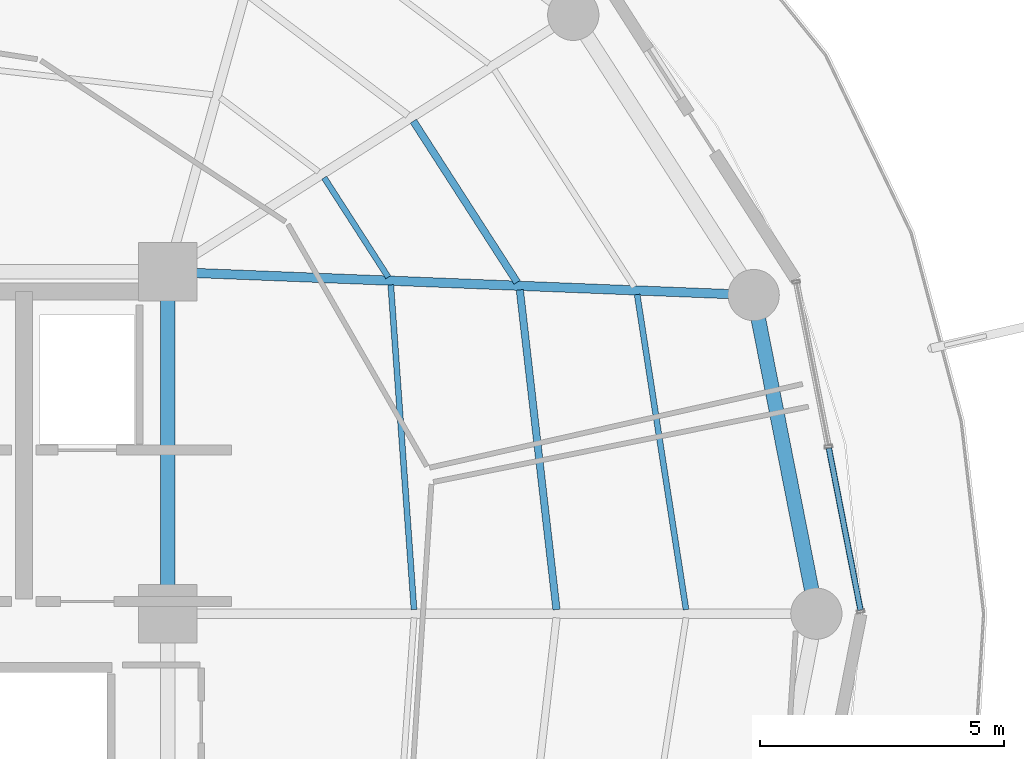
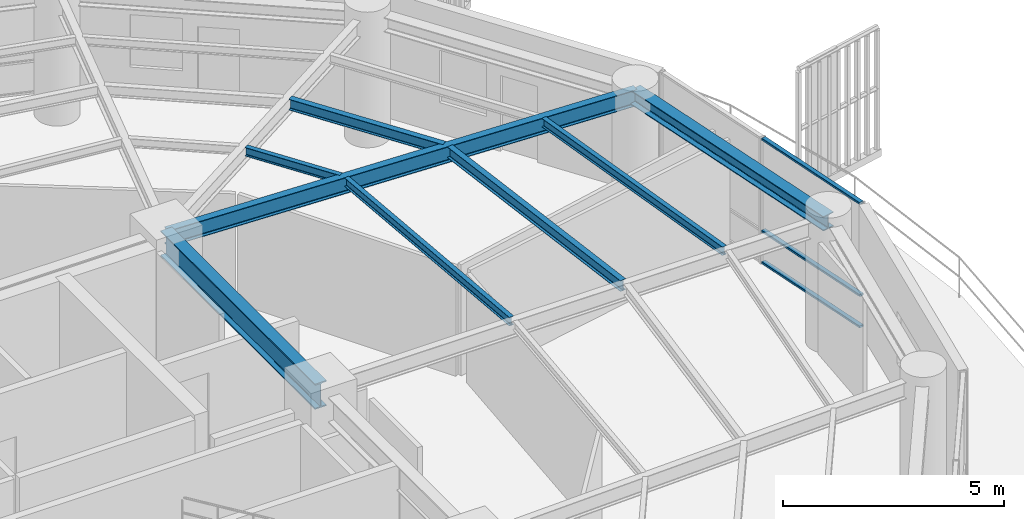
# One storey, part 15 of 31: 8 beams, 3 members, 1 element without a shape of its own.
"""IFC4 building model written with IfcOpenShell, lengths in metres."""

import ifcopenshell
import ifcopenshell.guid

model = None  # the IFC model being written
_history = None  # IfcOwnerHistory: only IFC2X3 demands one
_inside = {}  # id of a spatial element -> (the spatial element, [elements in it])
_under = {}  # id of a project, library or spatial element -> (it, [spatial elements below it])
_declared = {}  # id of a project -> (the project, [libraries it declares])
_typed = {}  # id of a type object -> (the type object, [elements of that type])
_made_of = {}  # id of a material, layer set ... -> (it, [elements and type objects made of it])


def new_model(schema):
    """Start an empty IFC model of exactly this schema.

    Asked for "IFC4X3", IfcOpenShell would pick the latest addendum, in which some entities
    have other attributes; the version numbers below select the first issue.
    IFC2X3 requires an IfcOwnerHistory on every rooted entity: one is made here for all.
    """
    global model, _history
    if schema == "IFC4X3":
        model = ifcopenshell.file(schema_version=(4, 3, 0, 0))
    else:
        model = ifcopenshell.file(schema=schema)
    _inside.clear()
    _under.clear()
    _declared.clear()
    _typed.clear()
    _made_of.clear()
    _history = None
    if model.schema == "IFC2X3":
        org = make("IfcOrganization", Name="unknown")
        user = make(
            "IfcPersonAndOrganization",
            ThePerson=make("IfcPerson", FamilyName="unknown"),
            TheOrganization=org,
        )
        app = make(
            "IfcApplication",
            ApplicationDeveloper=org,
            Version="unknown",
            ApplicationFullName="unknown",
            ApplicationIdentifier="unknown",
        )
        _history = make(
            "IfcOwnerHistory",
            OwningUser=user,
            OwningApplication=app,
            ChangeAction="ADDED",
            CreationDate=0,
        )
    return model


def make(cls, **values):
    """One entity of the class cls with the attributes given. An attribute that is None is left unset."""
    return model.create_entity(
        cls, **{name: value for name, value in values.items() if value is not None}
    )


def rooted(cls, **values):
    """An entity with a GlobalId (a new one), such as an element, a storey or a relation."""
    return make(cls, GlobalId=ifcopenshell.guid.new(), OwnerHistory=_history, **values)


def si_unit(unit_type, name, prefix=None):
    """IfcSIUnit, for example si_unit("LENGTHUNIT", "METRE", prefix="MILLI")."""
    return make("IfcSIUnit", UnitType=unit_type, Prefix=prefix, Name=name)


def assignment(units):
    """IfcUnitAssignment: the units of a project."""
    return None if units is None else make("IfcUnitAssignment", Units=units)


def point(xyz):
    """IfcCartesianPoint."""
    return None if xyz is None else make("IfcCartesianPoint", Coordinates=xyz)


def direction(xyz):
    """IfcDirection."""
    return None if xyz is None else make("IfcDirection", DirectionRatios=xyz)


def frame(location, z_axis=None, x_axis=None):
    """IfcAxis2Placement3D, a coordinate frame: its origin and axes. An axis left out is left unset."""
    return make(
        "IfcAxis2Placement3D",
        Location=point(location),
        Axis=direction(z_axis),
        RefDirection=direction(x_axis),
    )


def frame_2d(location, x_axis=None):
    """IfcAxis2Placement2D, a coordinate frame in the plane: its origin and x axis."""
    return make(
        "IfcAxis2Placement2D", Location=point(location), RefDirection=direction(x_axis)
    )


def origin():
    """The frame at (0, 0, 0) with its axes left unset."""
    return frame((0.0, 0.0, 0.0))


def origin_2d():
    """The frame at (0, 0) in the plane with its x axis left unset."""
    return frame_2d((0.0, 0.0))


def place(relative_to, where):
    """IfcLocalPlacement: puts the frame where relative to a parent placement (None: the world)."""
    return make(
        "IfcLocalPlacement", PlacementRelTo=relative_to, RelativePlacement=where
    )


def context(
    kind, dimensions, precision=None, world=None, true_north=None, identifier=None
):
    """IfcGeometricRepresentationContext, for example the 3D "Model" context."""
    return make(
        "IfcGeometricRepresentationContext",
        ContextIdentifier=identifier,
        ContextType=kind,
        CoordinateSpaceDimension=dimensions,
        Precision=precision,
        WorldCoordinateSystem=world,
        TrueNorth=true_north,
    )


def subcontext(parent, identifier, kind, view, scale=None):
    """IfcGeometricRepresentationSubContext, for example "Body" below "Model"."""
    return make(
        "IfcGeometricRepresentationSubContext",
        ContextIdentifier=identifier,
        ContextType=kind,
        ParentContext=parent,
        TargetScale=scale,
        TargetView=view,
    )


def project(units=None, contexts=None):
    """IfcProject with its units and contexts."""
    return rooted(
        "IfcProject",
        Name="project",
        RepresentationContexts=contexts,
        UnitsInContext=assignment(units),
    )


def spatial(cls, under=None, at=None, **own):
    """A site, building, storey or space (cls), placed at a placement, below another one or the project."""
    s = rooted(cls, ObjectPlacement=at, **own)
    if under is not None:
        _under.setdefault(under.id(), (under, []))[1].append(s)
    return s


def profile(cls, at=None, kind="AREA", **sizes):
    """A parametric profile (cls). Its sizes go by their IFC names, for example OverallWidth=200.0."""
    return make(cls, ProfileType=kind, Position=at, **sizes)


def hollow_rectangle(**sizes):
    """IfcRectangleHollowProfileDef."""
    return profile("IfcRectangleHollowProfileDef", **sizes)


def i_section(**sizes):
    """IfcIShapeProfileDef."""
    return profile("IfcIShapeProfileDef", **sizes)


def extrude(swept, where, along, depth):
    """IfcExtrudedAreaSolid: the profile swept, set in the frame where, extruded along a direction by depth."""
    return make(
        "IfcExtrudedAreaSolid",
        SweptArea=swept,
        Position=where,
        ExtrudedDirection=direction(along),
        Depth=depth,
    )


def shape(context_of_items, identifier, shape_type, items):
    """IfcShapeRepresentation: the items that make up one representation, for example the "Body"."""
    return make(
        "IfcShapeRepresentation",
        ContextOfItems=context_of_items,
        RepresentationIdentifier=identifier,
        RepresentationType=shape_type,
        Items=items,
    )


def material(Name=None, Category=None):
    """IfcMaterial."""
    return make("IfcMaterial", Name=Name, Category=Category)


def layer(
    of_material, thickness, ventilated=None, Name=None, Category=None, Priority=None
):
    """IfcMaterialLayer: one layer of a wall or slab, of a material (None: an air gap)."""
    return make(
        "IfcMaterialLayer",
        Material=of_material,
        LayerThickness=thickness,
        IsVentilated=ventilated,
        Name=Name,
        Category=Category,
        Priority=Priority,
    )


def layer_set(layers, Name=None):
    """IfcMaterialLayerSet."""
    return make("IfcMaterialLayerSet", MaterialLayers=layers, LayerSetName=Name)


def material_profile(
    of_material, cross_section, Name=None, Category=None, Priority=None
):
    """IfcMaterialProfile: a cross section and its material."""
    return make(
        "IfcMaterialProfile",
        Name=Name,
        Material=of_material,
        Profile=cross_section,
        Priority=Priority,
        Category=Category,
    )


def profile_set(profiles, Name=None, composite=None):
    """IfcMaterialProfileSet."""
    return make(
        "IfcMaterialProfileSet",
        Name=Name,
        MaterialProfiles=profiles,
        CompositeProfile=composite,
    )


def made_of(thing, what):
    """Note that an element or type object is made of a material, layer set ...; save() writes the relation."""
    if what is not None:
        _made_of.setdefault(what.id(), (what, []))[1].append(thing)
    return thing


def type_object(cls, material=None, **own):
    """A type object (cls), such as IfcWallType, which elements share."""
    return made_of(rooted(cls, **own), material)


def element(
    cls,
    number,
    at=None,
    inside=None,
    cuts=None,
    type_object=None,
    material=None,
    context=None,
    identifier="Body",
    shape_type=None,
    held_by="IfcProductDefinitionShape",
    body=None,
    shapes=None,
    **own,
):
    """One element of the class cls, such as IfcWall. Its Tag is "e" and its number.

    at: its placement. inside: the storey or other place that contains it. cuts: it is an
    opening in that element (IfcRelVoidsElement). A single representation is given by context,
    identifier, shape_type and body (its items); several are given by shapes. held_by: the class
    of the entity that holds the representations. save() writes the other relations.
    """
    e = rooted(cls, Tag="e%d" % number, ObjectPlacement=at, **own)
    if body is not None:
        shapes = [shape(context, identifier, shape_type, body)]
    if shapes is not None:
        e.Representation = make(held_by, Representations=shapes)
    if inside is not None:
        _inside.setdefault(inside.id(), (inside, []))[1].append(e)
    if cuts is not None:
        rooted(
            "IfcRelVoidsElement", RelatingBuildingElement=cuts, RelatedOpeningElement=e
        )
    if type_object is not None:
        _typed.setdefault(type_object.id(), (type_object, []))[1].append(e)
    return made_of(e, material)


def aggregate(whole, parts):
    """IfcRelAggregates: a whole, such as a stair, and the parts it consists of."""
    return rooted("IfcRelAggregates", RelatingObject=whole, RelatedObjects=parts)


def save(model, path):
    """Write the relations noted so far, then the file.

    IfcRelAggregates (storeys below a building ...), IfcRelContainedInSpatialStructure (elements
    in a storey), IfcRelDefinesByType, IfcRelAssociatesMaterial and IfcRelDeclares: one each for
    every whole, place, type object, material and project.
    """
    for whole, parts in _under.values():
        aggregate(whole, parts)
    for where, things in _inside.values():
        rooted(
            "IfcRelContainedInSpatialStructure",
            RelatedElements=things,
            RelatingStructure=where,
        )
    for kind, things in _typed.values():
        rooted("IfcRelDefinesByType", RelatedObjects=things, RelatingType=kind)
    for what, things in _made_of.values():
        rooted("IfcRelAssociatesMaterial", RelatedObjects=things, RelatingMaterial=what)
    for by, libraries in _declared.values():
        rooted("IfcRelDeclares", RelatingContext=by, RelatedDefinitions=libraries)
    model.write(path)


model = new_model("IFC4")

# Units and contexts
model_context = context("Model", 3, precision=1e-05, world=origin(), true_north=direction((0.0, 1.0)))
body_context = subcontext(model_context, "Body", "Model", "MODEL_VIEW")
ifc_project = project(units=[si_unit("LENGTHUNIT", "METRE"), si_unit("AREAUNIT", "SQUARE_METRE"), si_unit("VOLUMEUNIT", "CUBIC_METRE"), si_unit("PLANEANGLEUNIT", "RADIAN"), si_unit("MASSUNIT", "GRAM", prefix="KILO")], contexts=[model_context])

# Site, building, storey
site_placement = place(None, origin())
site = spatial("IfcSite", under=ifc_project, at=site_placement, CompositionType="ELEMENT")
building_placement = place(site_placement, origin())
building = spatial("IfcBuilding", under=site, at=building_placement, Name="Kelanora Arch Commons", CompositionType="ELEMENT")
storey_placement = place(building_placement, frame((0.0, 0.0, 200.699951171875)))
storey = spatial("IfcBuildingStorey", under=building, at=storey_placement, Name="L51", CompositionType="ELEMENT", Elevation=200.699951171875)

# Beams
ifc_material_1 = material(Name="Steel S355", Category="steel")
ifc_material_profile_1 = material_profile(ifc_material_1, i_section(OverallWidth=0.300048828125, OverallDepth=0.699951171875, WebThickness=0.01708984375, FlangeThickness=0.031982421875, FilletRadius=0.027099609375, at=origin_2d()), Name="HEB700")
ifc_profile_set_1 = profile_set([ifc_material_profile_1], Name="Steel S355")
beam_type_1 = type_object("IfcBeamType", Name="BM-CORE-HDR", PredefinedType="BEAM", material=ifc_profile_set_1)
beam_1_placement = place(storey_placement, frame((82.0, 58.0, 3.14013671875), z_axis=(0.0, 1.0, 0.0), x_axis=(-1.0, 0.0, 0.0)))
element("IfcBeam", 1, at=beam_1_placement, inside=storey, type_object=beam_type_1, Name="Core Header Beam 04 L51", PredefinedType="BEAM", context=body_context, shape_type="SweptSolid", body=[
    extrude(i_section(OverallWidth=0.300048828125, OverallDepth=0.699951171875, WebThickness=0.01708984375, FlangeThickness=0.031982421875, FilletRadius=0.027099609375, at=origin_2d()), origin(), (0.0, 0.0, 1.0), 7.0),
])
ifc_material_profile_2 = material_profile(ifc_material_1, i_section(OverallWidth=0.14990234375, OverallDepth=0.300048828125, WebThickness=0.007080078125, FlangeThickness=0.0107421875, FilletRadius=0.014892578125, at=origin_2d()), Name="IPE300")
ifc_profile_set_2 = profile_set([ifc_material_profile_2], Name="Steel S355")
beam_type_2 = type_object("IfcBeamType", Name="BM-JST-01", PredefinedType="JOIST", material=ifc_profile_set_2)
beam_2_placement = place(storey_placement, frame((89.958251953125, 58.08447265625, 3.340087890625), z_axis=(-0.113891408177, 0.993493204377, 0.0), x_axis=(-0.993493204377, -0.113891408177, 0.0)))
element("IfcBeam", 2, at=beam_2_placement, inside=storey, type_object=beam_type_2, Name="Secondary Chord Joist BJB-00 L51", PredefinedType="JOIST", context=body_context, shape_type="SweptSolid", body=[
    extrude(i_section(OverallWidth=0.14990234375, OverallDepth=0.300048828125, WebThickness=0.007080078125, FlangeThickness=0.0107421875, FilletRadius=0.014892578125, at=origin_2d()), origin(), (0.0, 0.0, 1.0), 6.589599609375),
])
beam_3_placement = place(storey_placement, frame((89.152099609375, 64.786865234375, 3.340087890625), z_axis=(-0.541411265892, 0.840757896879, 0.0), x_axis=(-0.840757896879, -0.541411265892, 0.0)))
element("IfcBeam", 3, at=beam_3_placement, inside=storey, type_object=beam_type_2, Name="Secondary Chord Joist BJB-02 L51", PredefinedType="JOIST", context=body_context, shape_type="SweptSolid", body=[
    extrude(i_section(OverallWidth=0.14990234375, OverallDepth=0.300048828125, WebThickness=0.007080078125, FlangeThickness=0.0107421875, FilletRadius=0.014892578125, at=origin_2d()), origin(), (0.0, 0.0, 1.0), 3.92529296875),
])
ifc_material_profile_3 = material_profile(ifc_material_1, i_section(OverallWidth=0.1201171875, OverallDepth=0.239990234375, WebThickness=0.006103515625, FlangeThickness=0.009765625, FilletRadius=0.014892578125, at=origin_2d()), Name="IPE240")
ifc_profile_set_3 = profile_set([ifc_material_profile_3], Name="Steel S355")
beam_type_3 = type_object("IfcBeamType", Name="BM-JST-02", PredefinedType="JOIST", material=ifc_profile_set_3)
beam_4_placement = place(storey_placement, frame((87.040283203125, 58.084716796875, 3.3701171875), z_axis=(-0.07133032136, 0.997452748382, 0.0), x_axis=(-0.997452748382, -0.07133032136, 0.0)))
element("IfcBeam", 4, at=beam_4_placement, inside=storey, type_object=beam_type_3, Name="Secondary Chord Joist BJA-00 L51", PredefinedType="JOIST", context=body_context, shape_type="SweptSolid", body=[
    extrude(i_section(OverallWidth=0.1201171875, OverallDepth=0.239990234375, WebThickness=0.006103515625, FlangeThickness=0.009765625, FilletRadius=0.014892578125, at=origin_2d()), origin(), (0.0, 0.0, 1.0), 6.66748046875),
])
beam_5_placement = place(storey_placement, frame((92.611083984375, 58.083984375, 3.3701171875), z_axis=(-0.153256756152, 0.988186402808, 0.0), x_axis=(-0.988186402808, -0.153256756152, 0.0)))
element("IfcBeam", 5, at=beam_5_placement, inside=storey, type_object=beam_type_3, Name="Secondary Chord Joist BJC-00 L51", PredefinedType="JOIST", context=body_context, shape_type="SweptSolid", body=[
    extrude(i_section(OverallWidth=0.1201171875, OverallDepth=0.239990234375, WebThickness=0.006103515625, FlangeThickness=0.009765625, FilletRadius=0.014892578125, at=origin_2d()), origin(), (0.0, 0.0, 1.0), 6.52978515625),
])
beam_6_placement = place(storey_placement, frame((86.5126953125, 64.89111328125, 3.3701171875), z_axis=(-0.541332763503, 0.840808443796, 0.0), x_axis=(-0.840808443796, -0.541332763503, 0.0)))
element("IfcBeam", 6, at=beam_6_placement, inside=storey, type_object=beam_type_3, Name="Secondary Chord Joist BJA-02 L51", PredefinedType="JOIST", context=body_context, shape_type="SweptSolid", body=[
    extrude(i_section(OverallWidth=0.1201171875, OverallDepth=0.239990234375, WebThickness=0.006103515625, FlangeThickness=0.009765625, FilletRadius=0.014892578125, at=origin_2d()), origin(), (0.0, 0.0, 1.0), 2.423583984375),
])
ifc_material_profile_4 = material_profile(ifc_material_1, i_section(OverallWidth=0.18994140625, OverallDepth=0.449951171875, WebThickness=0.009521484375, FlangeThickness=0.0146484375, FilletRadius=0.02099609375, at=origin_2d()), Name="IPE450")
ifc_profile_set_4 = profile_set([ifc_material_profile_4], Name="Steel S355")
beam_type_4 = type_object("IfcBeamType", Name="BM-RAD-Z4", PredefinedType="BEAM", material=ifc_profile_set_4)
beam_7_placement = place(storey_placement, frame((82.0, 65.0, 3.26513671875), z_axis=(0.999219142585, -0.03951082246, 0.0), x_axis=(0.03951082246, 0.999219142585, 0.0)))
element("IfcBeam", 7, at=beam_7_placement, inside=storey, type_object=beam_type_4, Name="Radial Floor Girder BR-02 L51", PredefinedType="BEAM", context=body_context, shape_type="SweptSolid", body=[
    extrude(i_section(OverallWidth=0.18994140625, OverallDepth=0.449951171875, WebThickness=0.009521484375, FlangeThickness=0.0146484375, FilletRadius=0.02099609375, at=origin_2d()), origin(), (0.0, 0.0, 1.0), 12.005859375),
])
ifc_material_profile_5 = material_profile(ifc_material_1, i_section(OverallWidth=0.300048828125, OverallDepth=0.39990234375, WebThickness=0.013427734375, FlangeThickness=0.02392578125, FilletRadius=0.027099609375, at=origin_2d()), Name="HEB400")
ifc_profile_set_5 = profile_set([ifc_material_profile_5], Name="Steel S355")
beam_type_5 = type_object("IfcBeamType", Name="BM-SPN-Z4", PredefinedType="SPANDREL", material=ifc_profile_set_5)
beam_8_placement = place(storey_placement, frame((95.280029296875, 58.0, 3.2900390625), z_axis=(-0.192980724826, 0.981202547819, 0.0), x_axis=(-0.981202547819, -0.192980724826, 0.0)))
element("IfcBeam", 8, at=beam_8_placement, inside=storey, type_object=beam_type_5, Name="Perimeter Spandrel Beam BS-00 L51", PredefinedType="SPANDREL", context=body_context, shape_type="SweptSolid", body=[
    extrude(i_section(OverallWidth=0.300048828125, OverallDepth=0.39990234375, WebThickness=0.013427734375, FlangeThickness=0.02392578125, FilletRadius=0.027099609375, at=origin_2d()), origin(), (0.0, 0.0, 1.0), 6.650634765625),
])

# Curtain wall, members
ifc_material_2 = material(Name="Terracotta ceramic-fritted low-E glass and aluminium", Category="masonry")
ifc_layer = layer(ifc_material_2, 0.175048828125)
ifc_layer_set = layer_set([ifc_layer], Name="Terracotta ceramic-fritted low-E glass and aluminium")
curtain_wall_type = type_object("IfcCurtainWallType", Name="CW-SYS-02", PredefinedType="NOTDEFINED", material=ifc_layer_set)
curtain_wall_placement = place(storey_placement, origin())
curtain_wall = element("IfcCurtainWall", 9, at=curtain_wall_placement, inside=storey, type_object=curtain_wall_type, Name="Unitised Curtain Wall L51-B00", PredefinedType="NOTDEFINED")
ifc_material_3 = material(Name="Powder-coated aluminium terracotta", Category="masonry")
ifc_material_profile_6 = material_profile(ifc_material_3, hollow_rectangle(XDim=0.1201171875, YDim=0.06005859375, WallThickness=0.0048828125, InnerFilletRadius=0.0048828125, OuterFilletRadius=0.010009765625, at=origin_2d()), Name="CWT120x60")
ifc_profile_set_6 = profile_set([ifc_material_profile_6], Name="Powder-coated aluminium terracotta")
member_type = type_object("IfcMemberType", Name="CWT-STD", PredefinedType="USERDEFINED", material=ifc_profile_set_6)
member_1_placement = place(storey_placement, frame((96.185546875, 58.073486328125, 0.030029296875), z_axis=(-0.192044874899, 0.981386145218, 0.0), x_axis=(-0.981386145218, -0.192044874899, 0.0)))
member_1 = element("IfcMember", 10, at=member_1_placement, type_object=member_type, Name="CW-02 transom 1.1", ObjectType="TRANSOM", PredefinedType="USERDEFINED", context=body_context, shape_type="SweptSolid", body=[
    extrude(hollow_rectangle(XDim=0.1201171875, YDim=0.06005859375, WallThickness=0.0048828125, InnerFilletRadius=0.0048828125, OuterFilletRadius=0.010009765625, at=origin_2d()), origin(), (0.0, 0.0, 1.0), 3.38037109375),
])
member_2_placement = place(storey_placement, frame((96.185546875, 58.073486328125, 0.900146484375), z_axis=(-0.192044874899, 0.981386145218, 0.0), x_axis=(-0.981386145218, -0.192044874899, 0.0)))
member_2 = element("IfcMember", 11, at=member_2_placement, type_object=member_type, Name="CW-02 transom 1.2", ObjectType="TRANSOM", PredefinedType="USERDEFINED", context=body_context, shape_type="SweptSolid", body=[
    extrude(hollow_rectangle(XDim=0.1201171875, YDim=0.06005859375, WallThickness=0.0048828125, InnerFilletRadius=0.0048828125, OuterFilletRadius=0.010009765625, at=origin_2d()), origin(), (0.0, 0.0, 1.0), 3.38037109375),
])
member_3_placement = place(storey_placement, frame((96.185546875, 58.073486328125, 3.445068359375), z_axis=(-0.192044874899, 0.981386145218, 0.0), x_axis=(-0.981386145218, -0.192044874899, 0.0)))
member_3 = element("IfcMember", 12, at=member_3_placement, type_object=member_type, Name="CW-02 transom 1.3", ObjectType="TRANSOM", PredefinedType="USERDEFINED", context=body_context, shape_type="SweptSolid", body=[
    extrude(hollow_rectangle(XDim=0.1201171875, YDim=0.06005859375, WallThickness=0.0048828125, InnerFilletRadius=0.0048828125, OuterFilletRadius=0.010009765625, at=origin_2d()), origin(), (0.0, 0.0, 1.0), 3.38037109375),
])
aggregate(curtain_wall, [member_1, member_2, member_3])

save(model, "model.ifc")
